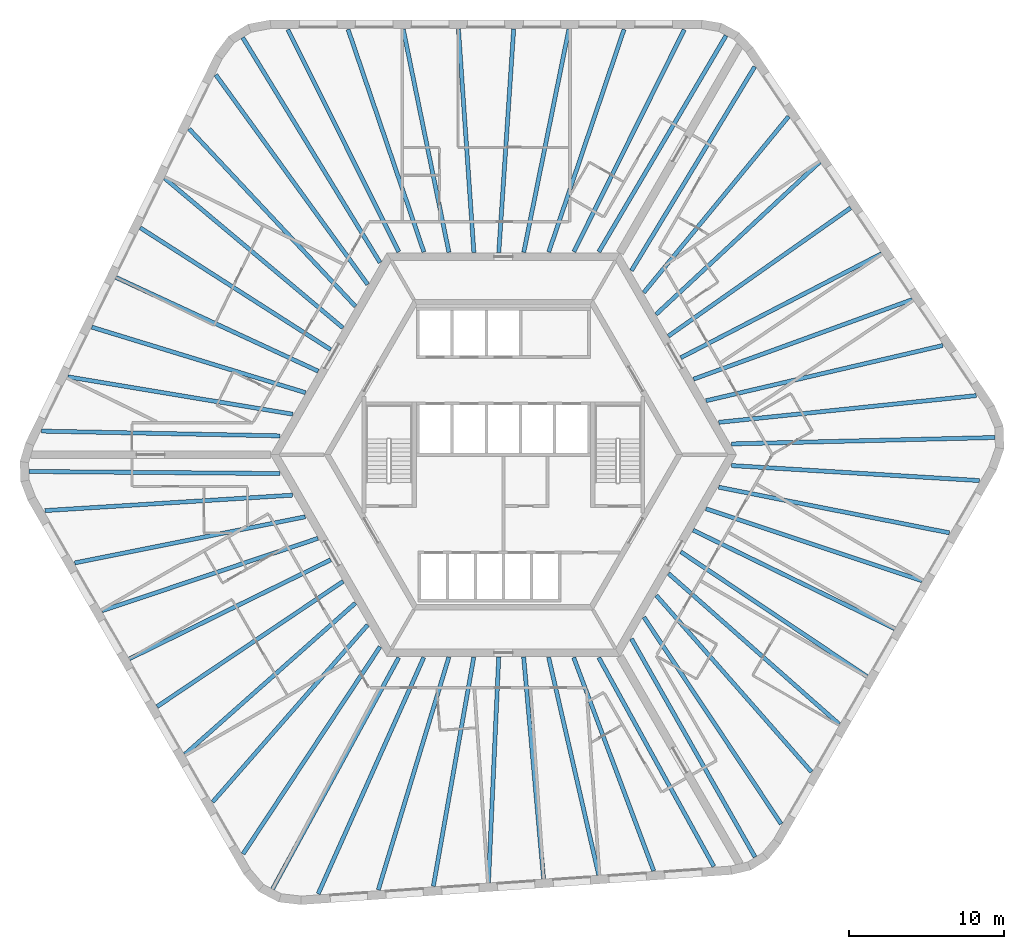
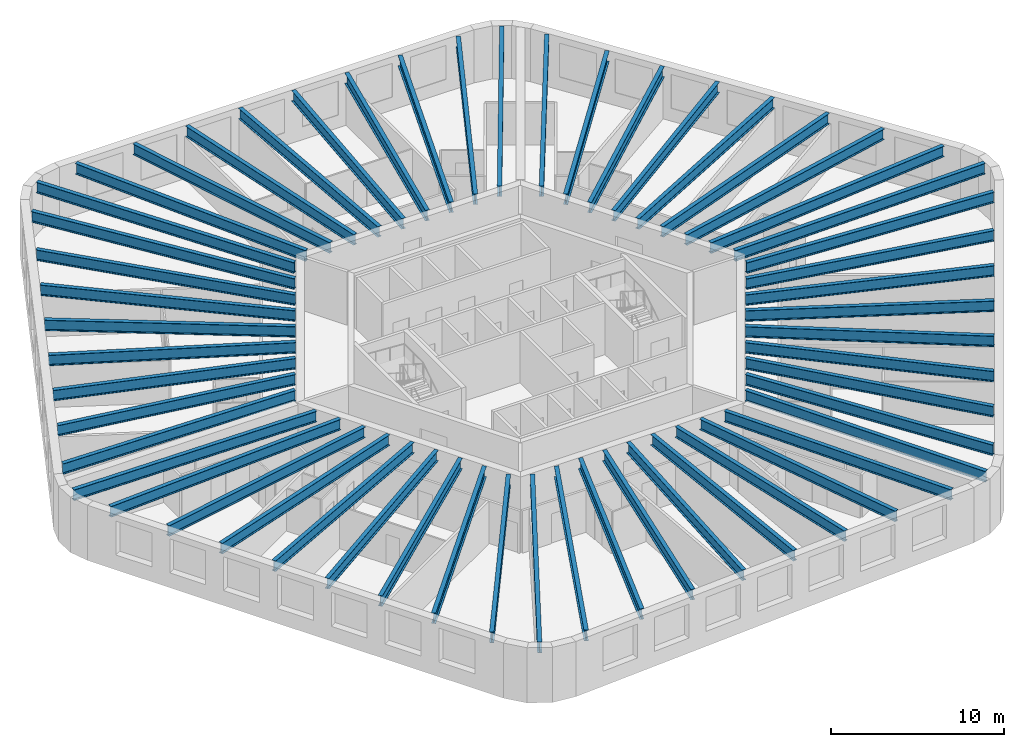
# One storey, part 1 of 10: 54 beams.
"""IFC4 building model written with IfcOpenShell, lengths in metres."""

from ifc_helpers import new_model, si_unit, direction, frame, origin, origin_2d, place, context, subcontext, project, spatial, i_section, extrude, material, material_profile, profile_set, type_object, element, save


model = new_model("IFC4")

# Units and contexts
model_context = context("Model", 3, precision=1e-05, world=origin(), true_north=direction((0.0, 1.0)))
body_context = subcontext(model_context, "Body", "Model", "MODEL_VIEW")
ifc_project = project(units=[si_unit("LENGTHUNIT", "METRE"), si_unit("AREAUNIT", "SQUARE_METRE"), si_unit("VOLUMEUNIT", "CUBIC_METRE"), si_unit("PLANEANGLEUNIT", "RADIAN"), si_unit("MASSUNIT", "GRAM", prefix="KILO")], contexts=[model_context])

# Site, building, storey
site_placement = place(None, origin())
site = spatial("IfcSite", under=ifc_project, at=site_placement, CompositionType="ELEMENT")
building_placement = place(site_placement, origin())
building = spatial("IfcBuilding", under=site, at=building_placement, Name="Tarnside Tower", CompositionType="ELEMENT")
storey_placement = place(building_placement, frame((0.0, 0.0, 199.5)))
storey = spatial("IfcBuildingStorey", under=building, at=storey_placement, Name="L47", CompositionType="ELEMENT", Elevation=199.5)

# Beams
ifc_material = material(Name="Steel S355", Category="steel")
ifc_material_profile_1 = material_profile(ifc_material, i_section(OverallWidth=0.26513671875, OverallDepth=0.75390625, WebThickness=0.0126953125, FlangeThickness=0.017578125, FilletRadius=0.0166015625, at=origin_2d()), Name="UB 762x267x147")
ifc_profile_set_1 = profile_set([ifc_material_profile_1], Name="Steel S355")
beam_type_1 = type_object("IfcBeamType", Name="Floor beam UB 762x267x147", PredefinedType="BEAM", material=ifc_profile_set_1)
beam_1_placement = place(storey_placement, frame((7.77001953125, 27.393310546875, 3.373046875), z_axis=(-0.320362579778, -0.947295000239, 0.0), x_axis=(0.947295000239, -0.320362579778, 0.0)))
element("IfcBeam", 1, at=beam_1_placement, inside=storey, type_object=beam_type_1, Name="Floor beam F1.02", PredefinedType="BEAM", context=body_context, shape_type="SweptSolid", body=[
    extrude(i_section(OverallWidth=0.26513671875, OverallDepth=0.75390625, WebThickness=0.0126953125, FlangeThickness=0.017578125, FilletRadius=0.0166015625, at=origin_2d()), origin(), (0.0, 0.0, 1.0), 15.134033203125),
])
beam_2_placement = place(storey_placement, frame((4.218505859375, 27.410888671875, 3.373046875), z_axis=(-0.19841777413, -0.980117537293, 0.0), x_axis=(0.980117537293, -0.19841777413, 0.0)))
element("IfcBeam", 2, at=beam_2_placement, inside=storey, type_object=beam_type_1, Name="Floor beam F1.03", PredefinedType="BEAM", context=body_context, shape_type="SweptSolid", body=[
    extrude(i_section(OverallWidth=0.26513671875, OverallDepth=0.75390625, WebThickness=0.0126953125, FlangeThickness=0.017578125, FilletRadius=0.0166015625, at=origin_2d()), origin(), (0.0, 0.0, 1.0), 14.6630859375),
])
beam_3_placement = place(storey_placement, frame((0.66259765625, 27.429931640625, 3.373046875), z_axis=(-0.066554914868, -0.997782763585, 0.0), x_axis=(0.997782763585, -0.066554914868, 0.0)))
element("IfcBeam", 3, at=beam_3_placement, inside=storey, type_object=beam_type_1, Name="Floor beam F1.04", PredefinedType="BEAM", context=body_context, shape_type="SweptSolid", body=[
    extrude(i_section(OverallWidth=0.26513671875, OverallDepth=0.75390625, WebThickness=0.0126953125, FlangeThickness=0.017578125, FilletRadius=0.0166015625, at=origin_2d()), origin(), (0.0, 0.0, 1.0), 14.44189453125),
])
beam_4_placement = place(storey_placement, frame((-2.8974609375, 27.429931640625, 3.373046875), z_axis=(0.068876921658, -0.997625164911, 0.0), x_axis=(0.997625164911, 0.068876921658, 0.0)))
element("IfcBeam", 4, at=beam_4_placement, inside=storey, type_object=beam_type_1, Name="Floor beam F1.05", PredefinedType="BEAM", context=body_context, shape_type="SweptSolid", body=[
    extrude(i_section(OverallWidth=0.26513671875, OverallDepth=0.75390625, WebThickness=0.0126953125, FlangeThickness=0.017578125, FilletRadius=0.0166015625, at=origin_2d()), origin(), (0.0, 0.0, 1.0), 14.4443359375),
])
beam_5_placement = place(storey_placement, frame((-6.45361328125, 27.410888671875, 3.373046875), z_axis=(0.200623497398, -0.979668419564, 0.0), x_axis=(0.979668419564, 0.200623497398, 0.0)))
element("IfcBeam", 5, at=beam_5_placement, inside=storey, type_object=beam_type_1, Name="Floor beam F1.06", PredefinedType="BEAM", context=body_context, shape_type="SweptSolid", body=[
    extrude(i_section(OverallWidth=0.26513671875, OverallDepth=0.75390625, WebThickness=0.0126953125, FlangeThickness=0.017578125, FilletRadius=0.0166015625, at=origin_2d()), origin(), (0.0, 0.0, 1.0), 14.669921875),
])
beam_6_placement = place(storey_placement, frame((-10.0048828125, 27.393310546875, 3.373046875), z_axis=(0.322343712034, -0.946622697442, 0.0), x_axis=(0.946622697442, 0.322343712034, 0.0)))
element("IfcBeam", 6, at=beam_6_placement, inside=storey, type_object=beam_type_1, Name="Floor beam F1.07", PredefinedType="BEAM", context=body_context, shape_type="SweptSolid", body=[
    extrude(i_section(OverallWidth=0.26513671875, OverallDepth=0.75390625, WebThickness=0.0126953125, FlangeThickness=0.017578125, FilletRadius=0.0166015625, at=origin_2d()), origin(), (0.0, 0.0, 1.0), 15.144775390625),
])
beam_7_placement = place(storey_placement, frame((-20.241455078125, 20.9892578125, 3.373046875), z_axis=(0.683752330283, -0.729714156936, 0.0), x_axis=(0.729714156936, 0.683752330283, 0.0)))
element("IfcBeam", 7, at=beam_7_placement, inside=storey, type_object=beam_type_1, Name="Floor beam F2.02", PredefinedType="BEAM", context=body_context, shape_type="SweptSolid", body=[
    extrude(i_section(OverallWidth=0.26513671875, OverallDepth=0.75390625, WebThickness=0.0126953125, FlangeThickness=0.017578125, FilletRadius=0.0166015625, at=origin_2d()), origin(), (0.0, 0.0, 1.0), 15.6591796875),
])
beam_8_placement = place(storey_placement, frame((-21.81396484375, 17.80419921875, 3.373046875), z_axis=(0.765948461073, -0.642901979294, 0.0), x_axis=(0.642901979294, 0.765948461073, 0.0)))
element("IfcBeam", 8, at=beam_8_placement, inside=storey, type_object=beam_type_1, Name="Floor beam F2.03", PredefinedType="BEAM", context=body_context, shape_type="SweptSolid", body=[
    extrude(i_section(OverallWidth=0.26513671875, OverallDepth=0.75390625, WebThickness=0.0126953125, FlangeThickness=0.017578125, FilletRadius=0.0166015625, at=origin_2d()), origin(), (0.0, 0.0, 1.0), 14.982177734375),
])
beam_9_placement = place(storey_placement, frame((-23.389892578125, 14.616455078125, 3.373046875), z_axis=(0.842378275633, -0.538886667808, 0.0), x_axis=(0.538886667808, 0.842378275633, 0.0)))
element("IfcBeam", 9, at=beam_9_placement, inside=storey, type_object=beam_type_1, Name="Floor beam F2.04", PredefinedType="BEAM", context=body_context, shape_type="SweptSolid", body=[
    extrude(i_section(OverallWidth=0.26513671875, OverallDepth=0.75390625, WebThickness=0.0126953125, FlangeThickness=0.017578125, FilletRadius=0.0166015625, at=origin_2d()), origin(), (0.0, 0.0, 1.0), 14.5595703125),
])
beam_10_placement = place(storey_placement, frame((-24.9501953125, 11.416748046875, 3.373046875), z_axis=(0.907310131748, -0.420462037321, 0.0), x_axis=(0.420462037321, 0.907310131748, 0.0)))
element("IfcBeam", 10, at=beam_10_placement, inside=storey, type_object=beam_type_1, Name="Floor beam F2.05", PredefinedType="BEAM", context=body_context, shape_type="SweptSolid", body=[
    extrude(i_section(OverallWidth=0.26513671875, OverallDepth=0.75390625, WebThickness=0.0126953125, FlangeThickness=0.017578125, FilletRadius=0.0166015625, at=origin_2d()), origin(), (0.0, 0.0, 1.0), 14.353515625),
])
beam_11_placement = place(storey_placement, frame((-26.510986328125, 8.2177734375, 3.373046875), z_axis=(0.956073348261, -0.293127536654, 0.0), x_axis=(0.293127536654, 0.956073348261, 0.0)))
element("IfcBeam", 11, at=beam_11_placement, inside=storey, type_object=beam_type_1, Name="Floor beam F2.06", PredefinedType="BEAM", context=body_context, shape_type="SweptSolid", body=[
    extrude(i_section(OverallWidth=0.26513671875, OverallDepth=0.75390625, WebThickness=0.0126953125, FlangeThickness=0.017578125, FilletRadius=0.0166015625, at=origin_2d()), origin(), (0.0, 0.0, 1.0), 14.3955078125),
])
beam_12_placement = place(storey_placement, frame((-28.0517578125, 5.015869140625, 3.373046875), z_axis=(0.986476498304, -0.163902770858, 0.0), x_axis=(0.163902770858, 0.986476498304, 0.0)))
element("IfcBeam", 12, at=beam_12_placement, inside=storey, type_object=beam_type_1, Name="Floor beam F2.07", PredefinedType="BEAM", context=body_context, shape_type="SweptSolid", body=[
    extrude(i_section(OverallWidth=0.26513671875, OverallDepth=0.75390625, WebThickness=0.0126953125, FlangeThickness=0.017578125, FilletRadius=0.0166015625, at=origin_2d()), origin(), (0.0, 0.0, 1.0), 14.680908203125),
])
beam_13_placement = place(storey_placement, frame((-29.73828125, 1.521484375, 3.373046875), z_axis=(0.999800142641, -0.019991867701, 0.0), x_axis=(0.019991867701, 0.999800142641, 0.0)))
element("IfcBeam", 13, at=beam_13_placement, inside=storey, type_object=beam_type_1, Name="Floor beam F2.08", PredefinedType="BEAM", context=body_context, shape_type="SweptSolid", body=[
    extrude(i_section(OverallWidth=0.26513671875, OverallDepth=0.75390625, WebThickness=0.0126953125, FlangeThickness=0.017578125, FilletRadius=0.0166015625, at=origin_2d()), origin(), (0.0, 0.0, 1.0), 15.3505859375),
])
beam_14_placement = place(storey_placement, frame((-27.608154296875, -6.967529296875, 3.373046875), z_axis=(0.980564540422, 0.196196794232, 0.0), x_axis=(-0.196196794232, 0.980564540422, 0.0)))
element("IfcBeam", 14, at=beam_14_placement, inside=storey, type_object=beam_type_1, Name="Floor beam F3.02", PredefinedType="BEAM", context=body_context, shape_type="SweptSolid", body=[
    extrude(i_section(OverallWidth=0.26513671875, OverallDepth=0.75390625, WebThickness=0.0126953125, FlangeThickness=0.017578125, FilletRadius=0.0166015625, at=origin_2d()), origin(), (0.0, 0.0, 1.0), 15.134033203125),
])
beam_15_placement = place(storey_placement, frame((-25.84765625, -10.052001953125, 3.373046875), z_axis=(0.948011835322, 0.31823507049, 0.0), x_axis=(-0.31823507049, 0.948011835322, 0.0)))
element("IfcBeam", 15, at=beam_15_placement, inside=storey, type_object=beam_type_1, Name="Floor beam F3.03", PredefinedType="BEAM", context=body_context, shape_type="SweptSolid", body=[
    extrude(i_section(OverallWidth=0.26513671875, OverallDepth=0.75390625, WebThickness=0.0126953125, FlangeThickness=0.017578125, FilletRadius=0.0166015625, at=origin_2d()), origin(), (0.0, 0.0, 1.0), 14.662841796875),
])
beam_16_placement = place(storey_placement, frame((-24.086181640625, -13.141357421875, 3.373046875), z_axis=(0.897375974806, 0.441266767206, 0.0), x_axis=(-0.441266767206, 0.897375974806, 0.0)))
element("IfcBeam", 16, at=beam_16_placement, inside=storey, type_object=beam_type_1, Name="Floor beam F3.04", PredefinedType="BEAM", context=body_context, shape_type="SweptSolid", body=[
    extrude(i_section(OverallWidth=0.26513671875, OverallDepth=0.75390625, WebThickness=0.0126953125, FlangeThickness=0.017578125, FilletRadius=0.0166015625, at=origin_2d()), origin(), (0.0, 0.0, 1.0), 14.442138671875),
])
beam_17_placement = place(storey_placement, frame((-22.306396484375, -16.224365234375, 3.373046875), z_axis=(0.829532486243, 0.558458462437, 0.0), x_axis=(-0.558458462437, 0.829532486243, 0.0)))
element("IfcBeam", 17, at=beam_17_placement, inside=storey, type_object=beam_type_1, Name="Floor beam F3.05", PredefinedType="BEAM", context=body_context, shape_type="SweptSolid", body=[
    extrude(i_section(OverallWidth=0.26513671875, OverallDepth=0.75390625, WebThickness=0.0126953125, FlangeThickness=0.017578125, FilletRadius=0.0166015625, at=origin_2d()), origin(), (0.0, 0.0, 1.0), 14.444580078125),
])
beam_18_placement = place(storey_placement, frame((-20.51171875, -19.294189453125, 3.373046875), z_axis=(0.74811408094, 0.663570133369, 0.0), x_axis=(-0.663570133369, 0.74811408094, 0.0)))
element("IfcBeam", 18, at=beam_18_placement, inside=storey, type_object=beam_type_1, Name="Floor beam F3.06", PredefinedType="BEAM", context=body_context, shape_type="SweptSolid", body=[
    extrude(i_section(OverallWidth=0.26513671875, OverallDepth=0.75390625, WebThickness=0.0126953125, FlangeThickness=0.017578125, FilletRadius=0.0166015625, at=origin_2d()), origin(), (0.0, 0.0, 1.0), 14.669677734375),
])
beam_19_placement = place(storey_placement, frame((-18.720703125, -22.361083984375, 3.373046875), z_axis=(0.658621010302, 0.752474826681, 0.0), x_axis=(-0.752474826681, 0.658621010302, 0.0)))
element("IfcBeam", 19, at=beam_19_placement, inside=storey, type_object=beam_type_1, Name="Floor beam F3.07", PredefinedType="BEAM", context=body_context, shape_type="SweptSolid", body=[
    extrude(i_section(OverallWidth=0.26513671875, OverallDepth=0.75390625, WebThickness=0.0126953125, FlangeThickness=0.017578125, FilletRadius=0.0166015625, at=origin_2d()), origin(), (0.0, 0.0, 1.0), 15.144775390625),
])
beam_20_placement = place(storey_placement, frame((-8.056396484375, -28.024169921875, 3.373046875), z_axis=(0.290070138838, 0.957005388989, 0.0), x_axis=(-0.957005388989, 0.290070138838, 0.0)))
element("IfcBeam", 20, at=beam_20_placement, inside=storey, type_object=beam_type_1, Name="Floor beam F4.02", PredefinedType="BEAM", context=body_context, shape_type="SweptSolid", body=[
    extrude(i_section(OverallWidth=0.26513671875, OverallDepth=0.75390625, WebThickness=0.0126953125, FlangeThickness=0.017578125, FilletRadius=0.0166015625, at=origin_2d()), origin(), (0.0, 0.0, 1.0), 15.6591796875),
])
beam_21_placement = place(storey_placement, frame((-4.511962890625, -27.793701171875, 3.373046875), z_axis=(0.173788122681, 0.984783066678, 0.0), x_axis=(-0.984783066678, 0.173788122681, 0.0)))
element("IfcBeam", 21, at=beam_21_placement, inside=storey, type_object=beam_type_1, Name="Floor beam F4.03", PredefinedType="BEAM", context=body_context, shape_type="SweptSolid", body=[
    extrude(i_section(OverallWidth=0.26513671875, OverallDepth=0.75390625, WebThickness=0.0126953125, FlangeThickness=0.017578125, FilletRadius=0.0166015625, at=origin_2d()), origin(), (0.0, 0.0, 1.0), 14.982421875),
])
beam_22_placement = place(storey_placement, frame((-0.96337890625, -27.564453125, 3.373046875), z_axis=(0.045509585226, 0.998963902077, 0.0), x_axis=(-0.998963902077, 0.045509585226, 0.0)))
element("IfcBeam", 22, at=beam_22_placement, inside=storey, type_object=beam_type_1, Name="Floor beam F4.04", PredefinedType="BEAM", context=body_context, shape_type="SweptSolid", body=[
    extrude(i_section(OverallWidth=0.26513671875, OverallDepth=0.75390625, WebThickness=0.0126953125, FlangeThickness=0.017578125, FilletRadius=0.0166015625, at=origin_2d()), origin(), (0.0, 0.0, 1.0), 14.5595703125),
])
beam_23_placement = place(storey_placement, frame((2.587890625, -27.31591796875, 3.373046875), z_axis=(-0.089518916897, 0.995985122137, 0.0), x_axis=(-0.995985122137, -0.089518916897, 0.0)))
element("IfcBeam", 23, at=beam_23_placement, inside=storey, type_object=beam_type_1, Name="Floor beam F4.05", PredefinedType="BEAM", context=body_context, shape_type="SweptSolid", body=[
    extrude(i_section(OverallWidth=0.26513671875, OverallDepth=0.75390625, WebThickness=0.0126953125, FlangeThickness=0.017578125, FilletRadius=0.0166015625, at=origin_2d()), origin(), (0.0, 0.0, 1.0), 14.353515625),
])
beam_24_placement = place(storey_placement, frame((6.138671875, -27.068115234375, 3.373046875), z_axis=(-0.224188122435, 0.974545886944, 0.0), x_axis=(-0.974545886944, -0.224188122435, 0.0)))
element("IfcBeam", 24, at=beam_24_placement, inside=storey, type_object=beam_type_1, Name="Floor beam F4.06", PredefinedType="BEAM", context=body_context, shape_type="SweptSolid", body=[
    extrude(i_section(OverallWidth=0.26513671875, OverallDepth=0.75390625, WebThickness=0.0126953125, FlangeThickness=0.017578125, FilletRadius=0.0166015625, at=origin_2d()), origin(), (0.0, 0.0, 1.0), 14.3955078125),
])
beam_25_placement = place(storey_placement, frame((9.681884765625, -26.801513671875, 3.373046875), z_axis=(-0.351271055087, 0.936273809234, 0.0), x_axis=(-0.936273809234, -0.351271055087, 0.0)))
element("IfcBeam", 25, at=beam_25_placement, inside=storey, type_object=beam_type_1, Name="Floor beam F4.07", PredefinedType="BEAM", context=body_context, shape_type="SweptSolid", body=[
    extrude(i_section(OverallWidth=0.26513671875, OverallDepth=0.75390625, WebThickness=0.0126953125, FlangeThickness=0.017578125, FilletRadius=0.0166015625, at=origin_2d()), origin(), (0.0, 0.0, 1.0), 14.680908203125),
])
beam_26_placement = place(storey_placement, frame((13.551513671875, -26.514892578125, 3.373046875), z_axis=(-0.482584088089, 0.875849643445, 0.0), x_axis=(-0.875849643445, -0.482584088089, 0.0)))
element("IfcBeam", 26, at=beam_26_placement, inside=storey, type_object=beam_type_1, Name="Floor beam F4.08", PredefinedType="BEAM", context=body_context, shape_type="SweptSolid", body=[
    extrude(i_section(OverallWidth=0.26513671875, OverallDepth=0.75390625, WebThickness=0.0126953125, FlangeThickness=0.017578125, FilletRadius=0.0166015625, at=origin_2d()), origin(), (0.0, 0.0, 1.0), 15.3505859375),
])
beam_27_placement = place(storey_placement, frame((19.838134765625, -20.425537109375, 3.373046875), z_axis=(-0.660201214512, 0.751088780609, 0.0), x_axis=(-0.751088780609, -0.660201214512, 0.0)))
element("IfcBeam", 27, at=beam_27_placement, inside=storey, type_object=beam_type_1, Name="Floor beam F5.02", PredefinedType="BEAM", context=body_context, shape_type="SweptSolid", body=[
    extrude(i_section(OverallWidth=0.26513671875, OverallDepth=0.75390625, WebThickness=0.0126953125, FlangeThickness=0.017578125, FilletRadius=0.0166015625, at=origin_2d()), origin(), (0.0, 0.0, 1.0), 15.134033203125),
])
beam_28_placement = place(storey_placement, frame((21.629150390625, -17.358642578125, 3.373046875), z_axis=(-0.749601662028, 0.661889226597, 0.0), x_axis=(-0.661889226597, -0.749601662028, 0.0)))
element("IfcBeam", 28, at=beam_28_placement, inside=storey, type_object=beam_type_1, Name="Floor beam F5.03", PredefinedType="BEAM", context=body_context, shape_type="SweptSolid", body=[
    extrude(i_section(OverallWidth=0.26513671875, OverallDepth=0.75390625, WebThickness=0.0126953125, FlangeThickness=0.017578125, FilletRadius=0.0166015625, at=origin_2d()), origin(), (0.0, 0.0, 1.0), 14.6630859375),
])
beam_29_placement = place(storey_placement, frame((23.423828125, -14.288818359375, 3.373046875), z_axis=(-0.830825943553, 0.556532345439, 0.0), x_axis=(-0.556532345439, -0.830825943553, 0.0)))
element("IfcBeam", 29, at=beam_29_placement, inside=storey, type_object=beam_type_1, Name="Floor beam F5.04", PredefinedType="BEAM", context=body_context, shape_type="SweptSolid", body=[
    extrude(i_section(OverallWidth=0.26513671875, OverallDepth=0.75390625, WebThickness=0.0126953125, FlangeThickness=0.017578125, FilletRadius=0.0166015625, at=origin_2d()), origin(), (0.0, 0.0, 1.0), 14.4423828125),
])
beam_30_placement = place(storey_placement, frame((25.203857421875, -11.205810546875, 3.373046875), z_axis=(-0.898407034897, 0.43916375038, 0.0), x_axis=(-0.43916375038, -0.898407034897, 0.0)))
element("IfcBeam", 30, at=beam_30_placement, inside=storey, type_object=beam_type_1, Name="Floor beam F5.05", PredefinedType="BEAM", context=body_context, shape_type="SweptSolid", body=[
    extrude(i_section(OverallWidth=0.26513671875, OverallDepth=0.75390625, WebThickness=0.0126953125, FlangeThickness=0.017578125, FilletRadius=0.0166015625, at=origin_2d()), origin(), (0.0, 0.0, 1.0), 14.444580078125),
])
beam_31_placement = place(storey_placement, frame((26.965087890625, -8.116455078125, 3.373046875), z_axis=(-0.948728223501, 0.31609295774, 0.0), x_axis=(-0.31609295774, -0.948728223501, 0.0)))
element("IfcBeam", 31, at=beam_31_placement, inside=storey, type_object=beam_type_1, Name="Floor beam F5.06", PredefinedType="BEAM", context=body_context, shape_type="SweptSolid", body=[
    extrude(i_section(OverallWidth=0.26513671875, OverallDepth=0.75390625, WebThickness=0.0126953125, FlangeThickness=0.017578125, FilletRadius=0.0166015625, at=origin_2d()), origin(), (0.0, 0.0, 1.0), 14.669677734375),
])
beam_32_placement = place(storey_placement, frame((28.7255859375, -5.031982421875, 3.373046875), z_axis=(-0.980974250646, 0.194137888034, 0.0), x_axis=(-0.194137888034, -0.980974250646, 0.0)))
element("IfcBeam", 32, at=beam_32_placement, inside=storey, type_object=beam_type_1, Name="Floor beam F5.07", PredefinedType="BEAM", context=body_context, shape_type="SweptSolid", body=[
    extrude(i_section(OverallWidth=0.26513671875, OverallDepth=0.75390625, WebThickness=0.0126953125, FlangeThickness=0.017578125, FilletRadius=0.0166015625, at=origin_2d()), origin(), (0.0, 0.0, 1.0), 15.144775390625),
])
beam_33_placement = place(storey_placement, frame((28.2978515625, 7.034912109375, 3.373046875), z_axis=(-0.973828212928, -0.227285309042, 0.0), x_axis=(0.227285309042, -0.973828212928, 0.0)))
element("IfcBeam", 33, at=beam_33_placement, inside=storey, type_object=beam_type_1, Name="Floor beam F6.02", PredefinedType="BEAM", context=body_context, shape_type="SweptSolid", body=[
    extrude(i_section(OverallWidth=0.26513671875, OverallDepth=0.75390625, WebThickness=0.0126953125, FlangeThickness=0.017578125, FilletRadius=0.0166015625, at=origin_2d()), origin(), (0.0, 0.0, 1.0), 15.6591796875),
])
beam_34_placement = place(storey_placement, frame((26.325927734375, 9.989501953125, 3.373046875), z_axis=(-0.939738697004, -0.341893523415, 0.0), x_axis=(0.341893523415, -0.939738697004, 0.0)))
element("IfcBeam", 34, at=beam_34_placement, inside=storey, type_object=beam_type_1, Name="Floor beam F6.03", PredefinedType="BEAM", context=body_context, shape_type="SweptSolid", body=[
    extrude(i_section(OverallWidth=0.26513671875, OverallDepth=0.75390625, WebThickness=0.0126953125, FlangeThickness=0.017578125, FilletRadius=0.0166015625, at=origin_2d()), origin(), (0.0, 0.0, 1.0), 14.982177734375),
])
beam_35_placement = place(storey_placement, frame((24.353271484375, 12.947998046875, 3.373046875), z_axis=(-0.887881646639, -0.460071930856, 0.0), x_axis=(0.460071930856, -0.887881646639, 0.0)))
element("IfcBeam", 35, at=beam_35_placement, inside=storey, type_object=beam_type_1, Name="Floor beam F6.04", PredefinedType="BEAM", context=body_context, shape_type="SweptSolid", body=[
    extrude(i_section(OverallWidth=0.26513671875, OverallDepth=0.75390625, WebThickness=0.0126953125, FlangeThickness=0.017578125, FilletRadius=0.0166015625, at=origin_2d()), origin(), (0.0, 0.0, 1.0), 14.5595703125),
])
beam_36_placement = place(storey_placement, frame((22.3623046875, 15.899169921875, 3.373046875), z_axis=(-0.817791001708, -0.575515314762, 0.0), x_axis=(0.575515314762, -0.817791001708, 0.0)))
element("IfcBeam", 36, at=beam_36_placement, inside=storey, type_object=beam_type_1, Name="Floor beam F6.05", PredefinedType="BEAM", context=body_context, shape_type="SweptSolid", body=[
    extrude(i_section(OverallWidth=0.26513671875, OverallDepth=0.75390625, WebThickness=0.0126953125, FlangeThickness=0.017578125, FilletRadius=0.0166015625, at=origin_2d()), origin(), (0.0, 0.0, 1.0), 14.353759765625),
])
beam_37_placement = place(storey_placement, frame((20.372314453125, 18.850341796875, 3.373046875), z_axis=(-0.731892224456, -0.681420407517, 0.0), x_axis=(0.681420407517, -0.731892224456, 0.0)))
element("IfcBeam", 37, at=beam_37_placement, inside=storey, type_object=beam_type_1, Name="Floor beam F6.06", PredefinedType="BEAM", context=body_context, shape_type="SweptSolid", body=[
    extrude(i_section(OverallWidth=0.26513671875, OverallDepth=0.75390625, WebThickness=0.0126953125, FlangeThickness=0.017578125, FilletRadius=0.0166015625, at=origin_2d()), origin(), (0.0, 0.0, 1.0), 14.3955078125),
])
beam_38_placement = place(storey_placement, frame((18.369873046875, 21.78564453125, 3.373046875), z_axis=(-0.635191827457, -0.772354414975, 0.0), x_axis=(0.772354414975, -0.635191827457, 0.0)))
element("IfcBeam", 38, at=beam_38_placement, inside=storey, type_object=beam_type_1, Name="Floor beam F6.07", PredefinedType="BEAM", context=body_context, shape_type="SweptSolid", body=[
    extrude(i_section(OverallWidth=0.26513671875, OverallDepth=0.75390625, WebThickness=0.0126953125, FlangeThickness=0.017578125, FilletRadius=0.0166015625, at=origin_2d()), origin(), (0.0, 0.0, 1.0), 14.680908203125),
])
beam_39_placement = place(storey_placement, frame((16.186767578125, 24.993408203125, 3.373046875), z_axis=(-0.517208605106, -0.855859368591, 0.0), x_axis=(0.855859368591, -0.517208605106, 0.0)))
element("IfcBeam", 39, at=beam_39_placement, inside=storey, type_object=beam_type_1, Name="Floor beam F6.08", PredefinedType="BEAM", context=body_context, shape_type="SweptSolid", body=[
    extrude(i_section(OverallWidth=0.26513671875, OverallDepth=0.75390625, WebThickness=0.0126953125, FlangeThickness=0.017578125, FilletRadius=0.0166015625, at=origin_2d()), origin(), (0.0, 0.0, 1.0), 15.3505859375),
])
ifc_material_profile_2 = material_profile(ifc_material, i_section(OverallWidth=0.2666015625, OverallDepth=0.76220703125, WebThickness=0.014404296875, FlangeThickness=0.021484375, FilletRadius=0.0166015625, at=origin_2d()), Name="UB 762x267x173")
ifc_profile_set_2 = profile_set([ifc_material_profile_2], Name="Steel S355")
beam_type_2 = type_object("IfcBeamType", Name="Floor beam UB 762x267x173", PredefinedType="BEAM", material=ifc_profile_set_2)
beam_40_placement = place(storey_placement, frame((11.6494140625, 27.37841796875, 3.368896484375), z_axis=(-0.445042310328, -0.895509543231, 0.0), x_axis=(0.895509543231, -0.445042310328, 0.0)))
element("IfcBeam", 40, at=beam_40_placement, inside=storey, type_object=beam_type_2, Name="Floor beam F1.01", PredefinedType="BEAM", context=body_context, shape_type="SweptSolid", body=[
    extrude(i_section(OverallWidth=0.2666015625, OverallDepth=0.76220703125, WebThickness=0.014404296875, FlangeThickness=0.021484375, FilletRadius=0.0166015625, at=origin_2d()), origin(), (0.0, 0.0, 1.0), 15.976318359375),
])
beam_41_placement = place(storey_placement, frame((-13.884521484375, 27.37841796875, 3.368896484375), z_axis=(0.44673108957, -0.894668281326, 0.0), x_axis=(0.894668281326, 0.44673108957, 0.0)))
element("IfcBeam", 41, at=beam_41_placement, inside=storey, type_object=beam_type_2, Name="Floor beam F1.08", PredefinedType="BEAM", context=body_context, shape_type="SweptSolid", body=[
    extrude(i_section(OverallWidth=0.2666015625, OverallDepth=0.76220703125, WebThickness=0.014404296875, FlangeThickness=0.021484375, FilletRadius=0.0166015625, at=origin_2d()), origin(), (0.0, 0.0, 1.0), 15.9912109375),
])
beam_42_placement = place(storey_placement, frame((-16.79345703125, 26.86962890625, 3.368896484375), z_axis=(0.520940467881, -0.853593011291, 0.0), x_axis=(0.853593011291, 0.520940467881, 0.0)))
element("IfcBeam", 42, at=beam_42_placement, inside=storey, type_object=beam_type_2, Name="Floor beam C1", PredefinedType="BEAM", context=body_context, shape_type="SweptSolid", body=[
    extrude(i_section(OverallWidth=0.2666015625, OverallDepth=0.76220703125, WebThickness=0.014404296875, FlangeThickness=0.021484375, FilletRadius=0.0166015625, at=origin_2d()), origin(), (0.0, 0.0, 1.0), 16.980712890625),
])
beam_43_placement = place(storey_placement, frame((-18.52685546875, 24.471435546875, 3.368896484375), z_axis=(0.586791943415, -0.80973774467, 0.0), x_axis=(0.80973774467, 0.586791943415, 0.0)))
element("IfcBeam", 43, at=beam_43_placement, inside=storey, type_object=beam_type_2, Name="Floor beam F2.01", PredefinedType="BEAM", context=body_context, shape_type="SweptSolid", body=[
    extrude(i_section(OverallWidth=0.2666015625, OverallDepth=0.76220703125, WebThickness=0.014404296875, FlangeThickness=0.021484375, FilletRadius=0.0166015625, at=origin_2d()), origin(), (0.0, 0.0, 1.0), 16.67578125),
])
beam_44_placement = place(storey_placement, frame((-30.543212890625, -1.079345703125, 3.368896484375), z_axis=(0.999966072652, -0.008237326324, 0.0), x_axis=(0.008237326324, 0.999966072652, 0.0)))
element("IfcBeam", 44, at=beam_44_placement, inside=storey, type_object=beam_type_2, Name="Floor beam C2", PredefinedType="BEAM", context=body_context, shape_type="SweptSolid", body=[
    extrude(i_section(OverallWidth=0.2666015625, OverallDepth=0.76220703125, WebThickness=0.014404296875, FlangeThickness=0.021484375, FilletRadius=0.0166015625, at=origin_2d()), origin(), (0.0, 0.0, 1.0), 16.15283203125),
])
beam_45_placement = place(storey_placement, frame((-29.534912109375, -3.6005859375, 3.368896484375), z_axis=(0.99805531279, 0.062334521832, 0.0), x_axis=(-0.062334521832, 0.99805531279, 0.0)))
element("IfcBeam", 45, at=beam_45_placement, inside=storey, type_object=beam_type_2, Name="Floor beam F3.01", PredefinedType="BEAM", context=body_context, shape_type="SweptSolid", body=[
    extrude(i_section(OverallWidth=0.2666015625, OverallDepth=0.76220703125, WebThickness=0.014404296875, FlangeThickness=0.021484375, FilletRadius=0.0166015625, at=origin_2d()), origin(), (0.0, 0.0, 1.0), 15.975830078125),
])
beam_46_placement = place(storey_placement, frame((-16.768310546875, -25.71337890625, 3.368896484375), z_axis=(0.551447600123, 0.834209532623, 0.0), x_axis=(-0.834209532623, 0.551447600123, 0.0)))
element("IfcBeam", 46, at=beam_46_placement, inside=storey, type_object=beam_type_2, Name="Floor beam F3.08", PredefinedType="BEAM", context=body_context, shape_type="SweptSolid", body=[
    extrude(i_section(OverallWidth=0.2666015625, OverallDepth=0.76220703125, WebThickness=0.014404296875, FlangeThickness=0.021484375, FilletRadius=0.0166015625, at=origin_2d()), origin(), (0.0, 0.0, 1.0), 15.9912109375),
])
beam_47_placement = place(storey_placement, frame((-14.873046875, -27.978515625, 3.368896484375), z_axis=(0.478767512404, 0.877941723047, 0.0), x_axis=(-0.877941723047, 0.478767512404, 0.0)))
element("IfcBeam", 47, at=beam_47_placement, inside=storey, type_object=beam_type_2, Name="Floor beam C3", PredefinedType="BEAM", context=body_context, shape_type="SweptSolid", body=[
    extrude(i_section(OverallWidth=0.2666015625, OverallDepth=0.76220703125, WebThickness=0.014404296875, FlangeThickness=0.021484375, FilletRadius=0.0166015625, at=origin_2d()), origin(), (0.0, 0.0, 1.0), 16.98095703125),
])
beam_48_placement = place(storey_placement, frame((-11.929443359375, -28.280517578125, 3.368896484375), z_axis=(0.407852035629, 0.913048036542, 0.0), x_axis=(-0.913048036542, 0.407852035629, 0.0)))
element("IfcBeam", 48, at=beam_48_placement, inside=storey, type_object=beam_type_2, Name="Floor beam F4.01", PredefinedType="BEAM", context=body_context, shape_type="SweptSolid", body=[
    extrude(i_section(OverallWidth=0.2666015625, OverallDepth=0.76220703125, WebThickness=0.014404296875, FlangeThickness=0.021484375, FilletRadius=0.0166015625, at=origin_2d()), origin(), (0.0, 0.0, 1.0), 16.67578125),
])
beam_49_placement = place(storey_placement, frame((16.206298828125, -25.91162109375, 3.368896484375), z_axis=(-0.492847437034, 0.870115741616, 0.0), x_axis=(-0.870115741616, -0.492847437034, 0.0)))
element("IfcBeam", 49, at=beam_49_placement, inside=storey, type_object=beam_type_2, Name="Floor beam C4", PredefinedType="BEAM", context=body_context, shape_type="SweptSolid", body=[
    extrude(i_section(OverallWidth=0.2666015625, OverallDepth=0.76220703125, WebThickness=0.014404296875, FlangeThickness=0.021484375, FilletRadius=0.0166015625, at=origin_2d()), origin(), (0.0, 0.0, 1.0), 16.15283203125),
])
beam_50_placement = place(storey_placement, frame((17.8857421875, -23.77783203125, 3.368896484375), z_axis=(-0.553013371197, 0.833172377889, 0.0), x_axis=(-0.833172377889, -0.553013371197, 0.0)))
element("IfcBeam", 50, at=beam_50_placement, inside=storey, type_object=beam_type_2, Name="Floor beam F5.01", PredefinedType="BEAM", context=body_context, shape_type="SweptSolid", body=[
    extrude(i_section(OverallWidth=0.2666015625, OverallDepth=0.76220703125, WebThickness=0.014404296875, FlangeThickness=0.021484375, FilletRadius=0.0166015625, at=origin_2d()), origin(), (0.0, 0.0, 1.0), 15.97607421875),
])
beam_51_placement = place(storey_placement, frame((30.652587890625, -1.6650390625, 3.368896484375), z_axis=(-0.998170730858, 0.060458184371, 0.0), x_axis=(-0.060458184371, -0.998170730858, 0.0)))
element("IfcBeam", 51, at=beam_51_placement, inside=storey, type_object=beam_type_2, Name="Floor beam F5.08", PredefinedType="BEAM", context=body_context, shape_type="SweptSolid", body=[
    extrude(i_section(OverallWidth=0.2666015625, OverallDepth=0.76220703125, WebThickness=0.014404296875, FlangeThickness=0.021484375, FilletRadius=0.0166015625, at=origin_2d()), origin(), (0.0, 0.0, 1.0), 15.9912109375),
])
beam_52_placement = place(storey_placement, frame((31.66650390625, 1.108642578125, 3.368896484375), z_axis=(-0.999703706976, -0.024341287118, 0.0), x_axis=(0.024341287118, -0.999703706976, 0.0)))
element("IfcBeam", 52, at=beam_52_placement, inside=storey, type_object=beam_type_2, Name="Floor beam C5", PredefinedType="BEAM", context=body_context, shape_type="SweptSolid", body=[
    extrude(i_section(OverallWidth=0.2666015625, OverallDepth=0.76220703125, WebThickness=0.014404296875, FlangeThickness=0.021484375, FilletRadius=0.0166015625, at=origin_2d()), origin(), (0.0, 0.0, 1.0), 16.980712890625),
])
beam_53_placement = place(storey_placement, frame((30.456298828125, 3.80908203125, 3.368896484375), z_axis=(-0.994648352349, -0.103318222829, 0.0), x_axis=(0.103318222829, -0.994648352349, 0.0)))
element("IfcBeam", 53, at=beam_53_placement, inside=storey, type_object=beam_type_2, Name="Floor beam F6.01", PredefinedType="BEAM", context=body_context, shape_type="SweptSolid", body=[
    extrude(i_section(OverallWidth=0.2666015625, OverallDepth=0.76220703125, WebThickness=0.014404296875, FlangeThickness=0.021484375, FilletRadius=0.0166015625, at=origin_2d()), origin(), (0.0, 0.0, 1.0), 16.67578125),
])
beam_54_placement = place(storey_placement, frame((14.3369140625, 26.990966796875, 3.368896484375), z_axis=(-0.507115238706, -0.861878259775, 0.0), x_axis=(0.861878259775, -0.507115238706, 0.0)))
element("IfcBeam", 54, at=beam_54_placement, inside=storey, type_object=beam_type_2, Name="Floor beam C6", PredefinedType="BEAM", context=body_context, shape_type="SweptSolid", body=[
    extrude(i_section(OverallWidth=0.2666015625, OverallDepth=0.76220703125, WebThickness=0.014404296875, FlangeThickness=0.021484375, FilletRadius=0.0166015625, at=origin_2d()), origin(), (0.0, 0.0, 1.0), 16.15283203125),
])

save(model, "model.ifc")
